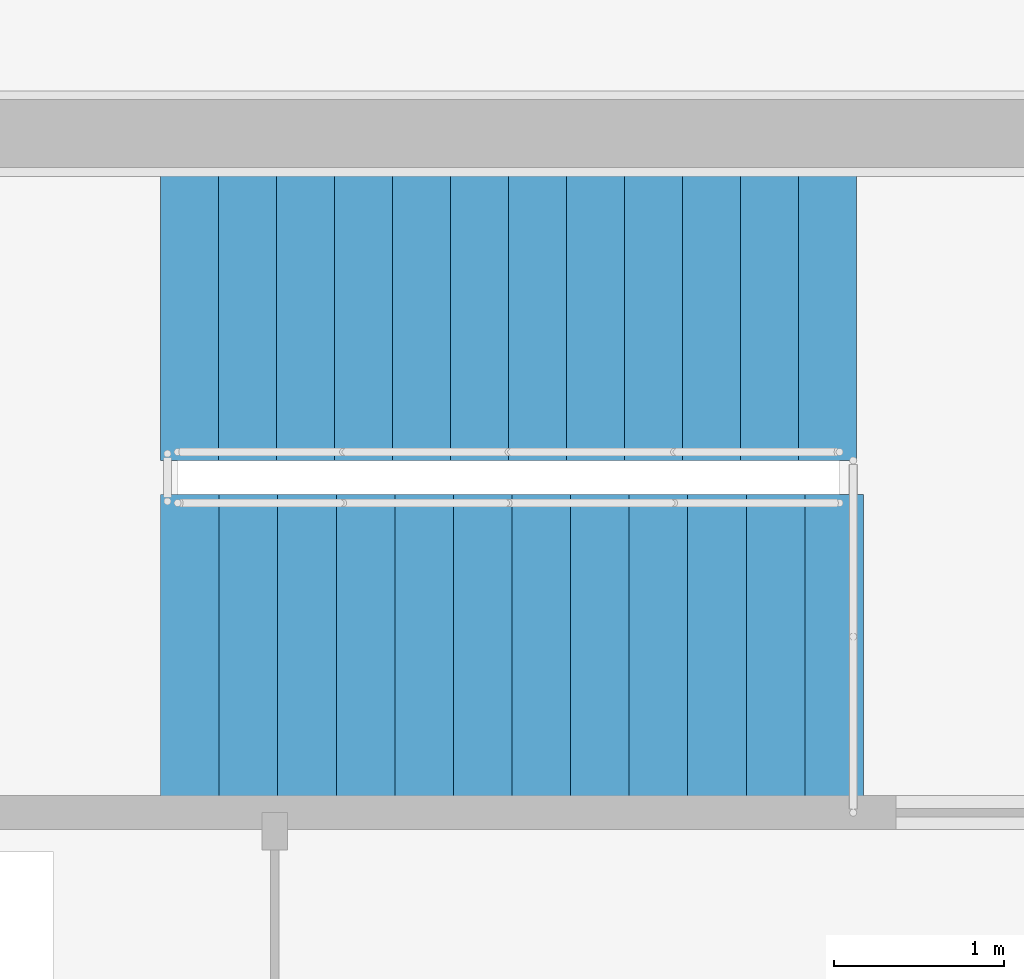
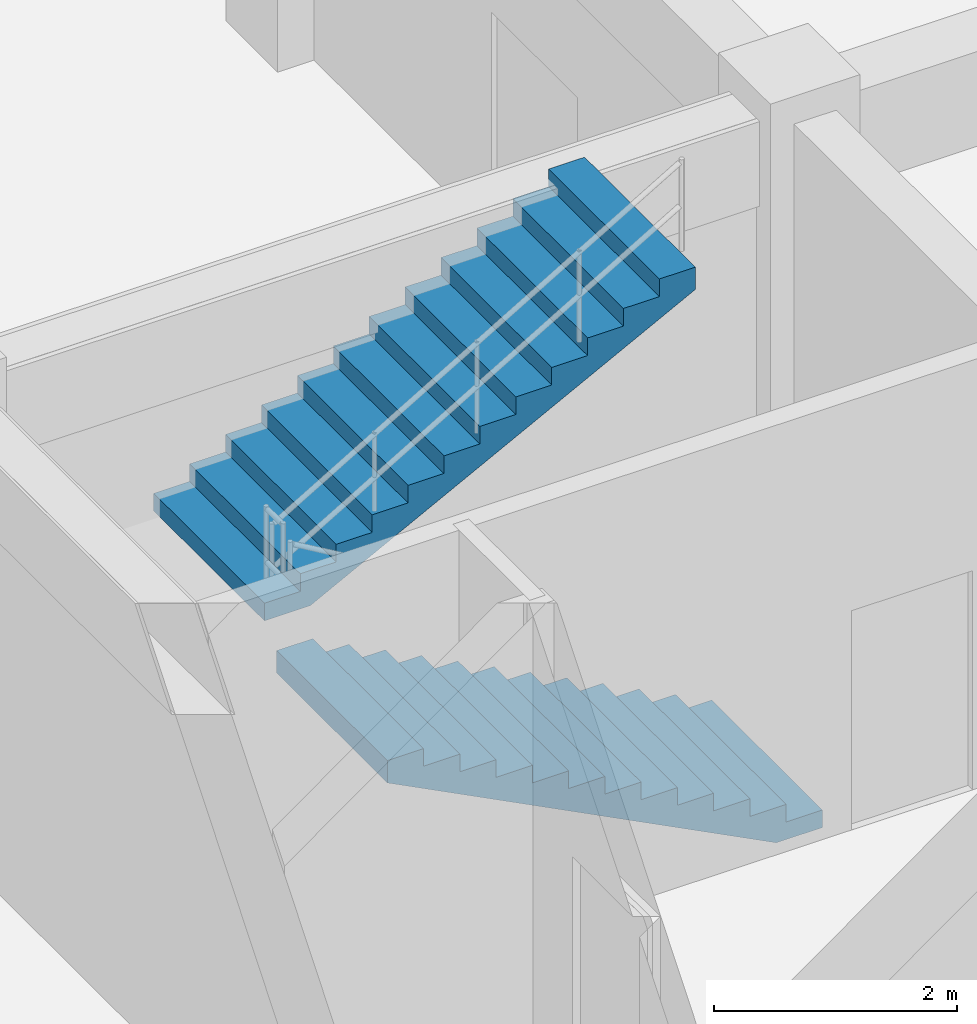
# One storey, part 76 of 93: 2 stair flights, 1 element without a shape of its own.
"""IFC4 building model written with IfcOpenShell, lengths in metres."""

from ifc_helpers import new_model, si_unit, direction, frame, origin, place, context, subcontext, project, spatial, polyline, outline, extrude, material, type_object, element, aggregate, save


model = new_model("IFC4")

# Units and contexts
model_context = context("Model", 3, precision=1e-05, world=origin(), true_north=direction((0.0, 1.0)))
body_context = subcontext(model_context, "Body", "Model", "MODEL_VIEW")
ifc_project = project(units=[si_unit("LENGTHUNIT", "METRE"), si_unit("AREAUNIT", "SQUARE_METRE"), si_unit("VOLUMEUNIT", "CUBIC_METRE"), si_unit("PLANEANGLEUNIT", "RADIAN"), si_unit("MASSUNIT", "GRAM", prefix="KILO")], contexts=[model_context])

# Site, building, storey
site_placement = place(None, origin())
site = spatial("IfcSite", under=ifc_project, at=site_placement, CompositionType="ELEMENT")
building_placement = place(site_placement, origin())
building = spatial("IfcBuilding", under=site, at=building_placement, Name="Vaudrelin Polytechnic", CompositionType="ELEMENT")
storey_placement = place(building_placement, frame((0.0, 0.0, 5.10009765625)))
storey = spatial("IfcBuildingStorey", under=building, at=storey_placement, Name="L01", CompositionType="ELEMENT", Elevation=5.10009765625)

# Stair, stair flights
ifc_material = material(Name="Concrete 35 MPa", Category="concrete")
stair_type = type_object("IfcStairType", Name="STR-ST-CORE", PredefinedType="TWO_STRAIGHT_RUN_STAIR", material=ifc_material)
stair_placement = place(storey_placement, origin())
stair = element("IfcStair", 1, at=stair_placement, inside=storey, type_object=stair_type, Name="Exit stair ST-06-L01", PredefinedType="TWO_STRAIGHT_RUN_STAIR")
stair_flight_type = type_object("IfcStairFlightType", Name="STF-STF-CORE", PredefinedType="STRAIGHT", material=ifc_material)
stair_flight_1_placement = place(storey_placement, frame((151.93994140625, 102.27001953125, 0.0), z_axis=(0.0, 0.0, 1.0), x_axis=(-1.0, 0.0, 0.0)))
stair_flight_1 = element("IfcStairFlight", 2, at=stair_flight_1_placement, type_object=stair_flight_type, Name="ST-06-L01 flight 1", NumberOfRisers=13, NumberOfTreads=12, PredefinedType="STRAIGHT", RiserHeight=0.17654, TreadLength=0.34417, context=body_context, shape_type="SweptSolid", body=[
    extrude(outline(polyline([(0.0, 0.0), (0.0, 0.176513671875), (0.34423828125, 0.176513671875), (0.34423828125, 0.35302734375), (0.688232421875, 0.35302734375), (0.688232421875, 0.529541015625), (1.032470703125, 0.529541015625), (1.032470703125, 0.7060546875), (1.376708984375, 0.7060546875), (1.376708984375, 0.8828125), (1.720947265625, 0.8828125), (1.720947265625, 1.059326171875), (2.06494140625, 1.059326171875), (2.06494140625, 1.23583984375), (2.4091796875, 1.23583984375), (2.4091796875, 1.412353515625), (2.75341796875, 1.412353515625), (2.75341796875, 1.5888671875), (3.097412109375, 1.5888671875), (3.097412109375, 1.765380859375), (3.441650390625, 1.765380859375), (3.441650390625, 1.94189453125), (3.785888671875, 1.94189453125), (3.785888671875, 2.118408203125), (4.130126953125, 2.118408203125), (4.130126953125, 2.294921875), (4.130126953125, 1.893798828125), (0.43798828125, 0.0), (0.0, 0.0)])), frame((0.0, 0.91015625, 0.0), z_axis=(0.0, -1.0, 0.0), x_axis=(1.0, 0.0, 0.0)), (0.0, 0.0, 1.0), 1.820068359375),
])
stair_flight_2_placement = place(storey_placement, frame((147.81005859375, 104.2900390625, 2.294921875), z_axis=(0.0, 0.0, 1.0), x_axis=(1.0, 0.0, 0.0)))
stair_flight_2 = element("IfcStairFlight", 3, at=stair_flight_2_placement, type_object=stair_flight_type, Name="ST-06-L01 flight 2", NumberOfRisers=13, NumberOfTreads=12, PredefinedType="STRAIGHT", RiserHeight=0.17654, TreadLength=0.34083, context=body_context, shape_type="SweptSolid", body=[
    extrude(outline(polyline([(0.0, 0.0), (0.0, 0.176513671875), (0.3408203125, 0.176513671875), (0.3408203125, 0.35302734375), (0.681640625, 0.35302734375), (0.681640625, 0.529541015625), (1.0224609375, 0.529541015625), (1.0224609375, 0.7060546875), (1.36328125, 0.7060546875), (1.36328125, 0.8828125), (1.7041015625, 0.8828125), (1.7041015625, 1.059326171875), (2.044921875, 1.059326171875), (2.044921875, 1.23583984375), (2.3857421875, 1.23583984375), (2.3857421875, 1.412353515625), (2.7265625, 1.412353515625), (2.7265625, 1.5888671875), (3.0673828125, 1.5888671875), (3.0673828125, 1.765380859375), (3.408203125, 1.765380859375), (3.408203125, 1.94189453125), (3.7490234375, 1.94189453125), (3.7490234375, 2.118408203125), (4.08984375, 2.118408203125), (4.08984375, 2.294921875), (4.08984375, 1.893310546875), (0.434814453125, 0.0), (0.0, 0.0)])), frame((0.0, 0.91015625, 0.0), z_axis=(0.0, -1.0, 0.0), x_axis=(1.0, 0.0, 0.0)), (0.0, 0.0, 1.0), 1.820068359375),
])
aggregate(stair, [stair_flight_1, stair_flight_2])

save(model, "model.ifc")
